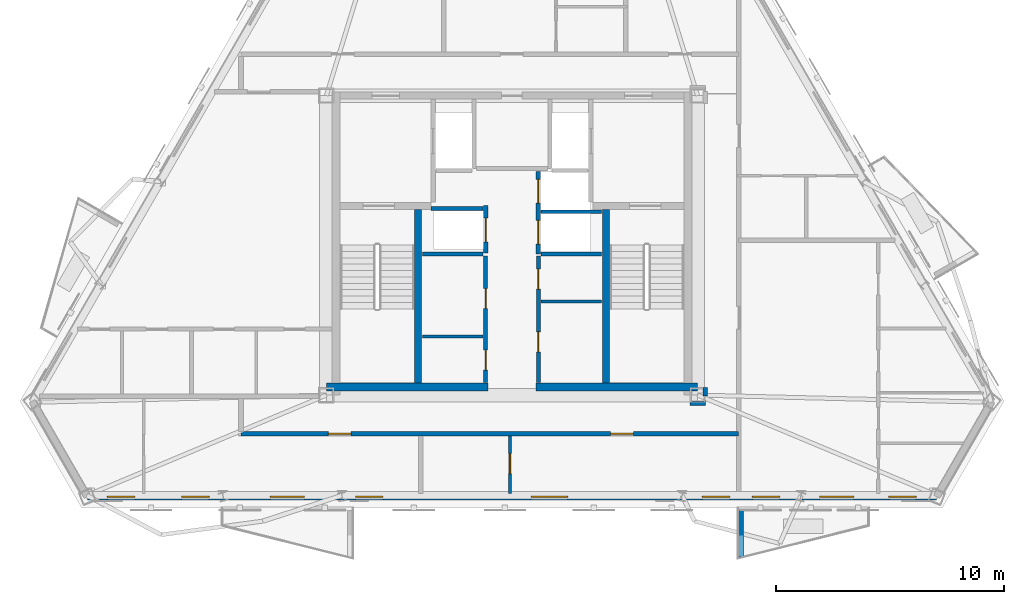
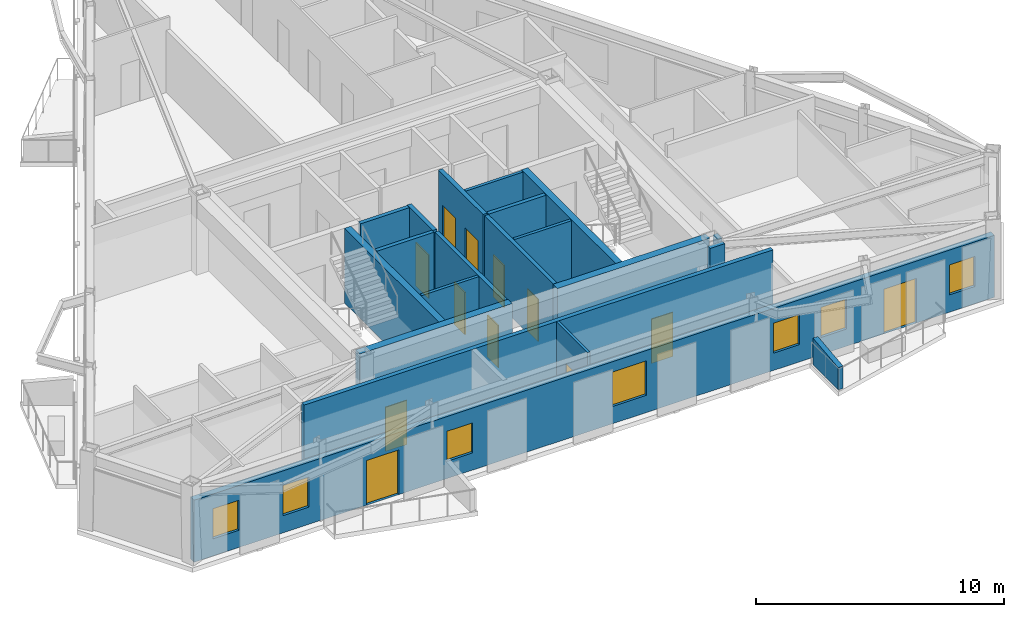
# One storey, part 3 of 9: 20 walls, 12 doors, 7 windows, 19 openings.
"""IFC4 building model written with IfcOpenShell, lengths in metres."""

import ifcopenshell
import ifcopenshell.guid

model = None  # the IFC model being written
_history = None  # IfcOwnerHistory: only IFC2X3 demands one
_inside = {}  # id of a spatial element -> (the spatial element, [elements in it])
_under = {}  # id of a project, library or spatial element -> (it, [spatial elements below it])
_declared = {}  # id of a project -> (the project, [libraries it declares])
_typed = {}  # id of a type object -> (the type object, [elements of that type])
_made_of = {}  # id of a material, layer set ... -> (it, [elements and type objects made of it])


def new_model(schema):
    """Start an empty IFC model of exactly this schema.

    Asked for "IFC4X3", IfcOpenShell would pick the latest addendum, in which some entities
    have other attributes; the version numbers below select the first issue.
    IFC2X3 requires an IfcOwnerHistory on every rooted entity: one is made here for all.
    """
    global model, _history
    if schema == "IFC4X3":
        model = ifcopenshell.file(schema_version=(4, 3, 0, 0))
    else:
        model = ifcopenshell.file(schema=schema)
    _inside.clear()
    _under.clear()
    _declared.clear()
    _typed.clear()
    _made_of.clear()
    _history = None
    if model.schema == "IFC2X3":
        org = make("IfcOrganization", Name="unknown")
        user = make(
            "IfcPersonAndOrganization",
            ThePerson=make("IfcPerson", FamilyName="unknown"),
            TheOrganization=org,
        )
        app = make(
            "IfcApplication",
            ApplicationDeveloper=org,
            Version="unknown",
            ApplicationFullName="unknown",
            ApplicationIdentifier="unknown",
        )
        _history = make(
            "IfcOwnerHistory",
            OwningUser=user,
            OwningApplication=app,
            ChangeAction="ADDED",
            CreationDate=0,
        )
    return model


def make(cls, **values):
    """One entity of the class cls with the attributes given. An attribute that is None is left unset."""
    return model.create_entity(
        cls, **{name: value for name, value in values.items() if value is not None}
    )


def rooted(cls, **values):
    """An entity with a GlobalId (a new one), such as an element, a storey or a relation."""
    return make(cls, GlobalId=ifcopenshell.guid.new(), OwnerHistory=_history, **values)


def si_unit(unit_type, name, prefix=None):
    """IfcSIUnit, for example si_unit("LENGTHUNIT", "METRE", prefix="MILLI")."""
    return make("IfcSIUnit", UnitType=unit_type, Prefix=prefix, Name=name)


def assignment(units):
    """IfcUnitAssignment: the units of a project."""
    return None if units is None else make("IfcUnitAssignment", Units=units)


def point(xyz):
    """IfcCartesianPoint."""
    return None if xyz is None else make("IfcCartesianPoint", Coordinates=xyz)


def direction(xyz):
    """IfcDirection."""
    return None if xyz is None else make("IfcDirection", DirectionRatios=xyz)


def frame(location, z_axis=None, x_axis=None):
    """IfcAxis2Placement3D, a coordinate frame: its origin and axes. An axis left out is left unset."""
    return make(
        "IfcAxis2Placement3D",
        Location=point(location),
        Axis=direction(z_axis),
        RefDirection=direction(x_axis),
    )


def frame_2d(location, x_axis=None):
    """IfcAxis2Placement2D, a coordinate frame in the plane: its origin and x axis."""
    return make(
        "IfcAxis2Placement2D", Location=point(location), RefDirection=direction(x_axis)
    )


def origin():
    """The frame at (0, 0, 0) with its axes left unset."""
    return frame((0.0, 0.0, 0.0))


def place(relative_to, where):
    """IfcLocalPlacement: puts the frame where relative to a parent placement (None: the world)."""
    return make(
        "IfcLocalPlacement", PlacementRelTo=relative_to, RelativePlacement=where
    )


def context(
    kind, dimensions, precision=None, world=None, true_north=None, identifier=None
):
    """IfcGeometricRepresentationContext, for example the 3D "Model" context."""
    return make(
        "IfcGeometricRepresentationContext",
        ContextIdentifier=identifier,
        ContextType=kind,
        CoordinateSpaceDimension=dimensions,
        Precision=precision,
        WorldCoordinateSystem=world,
        TrueNorth=true_north,
    )


def subcontext(parent, identifier, kind, view, scale=None):
    """IfcGeometricRepresentationSubContext, for example "Body" below "Model"."""
    return make(
        "IfcGeometricRepresentationSubContext",
        ContextIdentifier=identifier,
        ContextType=kind,
        ParentContext=parent,
        TargetScale=scale,
        TargetView=view,
    )


def project(units=None, contexts=None):
    """IfcProject with its units and contexts."""
    return rooted(
        "IfcProject",
        Name="project",
        RepresentationContexts=contexts,
        UnitsInContext=assignment(units),
    )


def spatial(cls, under=None, at=None, **own):
    """A site, building, storey or space (cls), placed at a placement, below another one or the project."""
    s = rooted(cls, ObjectPlacement=at, **own)
    if under is not None:
        _under.setdefault(under.id(), (under, []))[1].append(s)
    return s


def polyline(points):
    """IfcPolyline through the points."""
    return make("IfcPolyline", Points=[point(p) for p in points])


def profile(cls, at=None, kind="AREA", **sizes):
    """A parametric profile (cls). Its sizes go by their IFC names, for example OverallWidth=200.0."""
    return make(cls, ProfileType=kind, Position=at, **sizes)


def rectangle(**sizes):
    """IfcRectangleProfileDef."""
    return profile("IfcRectangleProfileDef", **sizes)


def outline(outer, holes=None, kind="AREA"):
    """IfcArbitraryClosedProfileDef: a profile drawn as a closed curve; with holes, ...WithVoids."""
    if holes is None:
        return make("IfcArbitraryClosedProfileDef", ProfileType=kind, OuterCurve=outer)
    return make(
        "IfcArbitraryProfileDefWithVoids",
        ProfileType=kind,
        OuterCurve=outer,
        InnerCurves=holes,
    )


def extrude(swept, where, along, depth):
    """IfcExtrudedAreaSolid: the profile swept, set in the frame where, extruded along a direction by depth."""
    return make(
        "IfcExtrudedAreaSolid",
        SweptArea=swept,
        Position=where,
        ExtrudedDirection=direction(along),
        Depth=depth,
    )


def shape(context_of_items, identifier, shape_type, items):
    """IfcShapeRepresentation: the items that make up one representation, for example the "Body"."""
    return make(
        "IfcShapeRepresentation",
        ContextOfItems=context_of_items,
        RepresentationIdentifier=identifier,
        RepresentationType=shape_type,
        Items=items,
    )


def material(Name=None, Category=None):
    """IfcMaterial."""
    return make("IfcMaterial", Name=Name, Category=Category)


def layer(
    of_material, thickness, ventilated=None, Name=None, Category=None, Priority=None
):
    """IfcMaterialLayer: one layer of a wall or slab, of a material (None: an air gap)."""
    return make(
        "IfcMaterialLayer",
        Material=of_material,
        LayerThickness=thickness,
        IsVentilated=ventilated,
        Name=Name,
        Category=Category,
        Priority=Priority,
    )


def layer_set(layers, Name=None):
    """IfcMaterialLayerSet."""
    return make("IfcMaterialLayerSet", MaterialLayers=layers, LayerSetName=Name)


def made_of(thing, what):
    """Note that an element or type object is made of a material, layer set ...; save() writes the relation."""
    if what is not None:
        _made_of.setdefault(what.id(), (what, []))[1].append(thing)
    return thing


def type_object(cls, material=None, **own):
    """A type object (cls), such as IfcWallType, which elements share."""
    return made_of(rooted(cls, **own), material)


def element(
    cls,
    number,
    at=None,
    inside=None,
    cuts=None,
    type_object=None,
    material=None,
    context=None,
    identifier="Body",
    shape_type=None,
    held_by="IfcProductDefinitionShape",
    body=None,
    shapes=None,
    **own,
):
    """One element of the class cls, such as IfcWall. Its Tag is "e" and its number.

    at: its placement. inside: the storey or other place that contains it. cuts: it is an
    opening in that element (IfcRelVoidsElement). A single representation is given by context,
    identifier, shape_type and body (its items); several are given by shapes. held_by: the class
    of the entity that holds the representations. save() writes the other relations.
    """
    e = rooted(cls, Tag="e%d" % number, ObjectPlacement=at, **own)
    if body is not None:
        shapes = [shape(context, identifier, shape_type, body)]
    if shapes is not None:
        e.Representation = make(held_by, Representations=shapes)
    if inside is not None:
        _inside.setdefault(inside.id(), (inside, []))[1].append(e)
    if cuts is not None:
        rooted(
            "IfcRelVoidsElement", RelatingBuildingElement=cuts, RelatedOpeningElement=e
        )
    if type_object is not None:
        _typed.setdefault(type_object.id(), (type_object, []))[1].append(e)
    return made_of(e, material)


def fill(opening, filler):
    """IfcRelFillsElement: the door or window that sits in an opening."""
    return rooted(
        "IfcRelFillsElement",
        RelatingOpeningElement=opening,
        RelatedBuildingElement=filler,
    )


def aggregate(whole, parts):
    """IfcRelAggregates: a whole, such as a stair, and the parts it consists of."""
    return rooted("IfcRelAggregates", RelatingObject=whole, RelatedObjects=parts)


def save(model, path):
    """Write the relations noted so far, then the file.

    IfcRelAggregates (storeys below a building ...), IfcRelContainedInSpatialStructure (elements
    in a storey), IfcRelDefinesByType, IfcRelAssociatesMaterial and IfcRelDeclares: one each for
    every whole, place, type object, material and project.
    """
    for whole, parts in _under.values():
        aggregate(whole, parts)
    for where, things in _inside.values():
        rooted(
            "IfcRelContainedInSpatialStructure",
            RelatedElements=things,
            RelatingStructure=where,
        )
    for kind, things in _typed.values():
        rooted("IfcRelDefinesByType", RelatedObjects=things, RelatingType=kind)
    for what, things in _made_of.values():
        rooted("IfcRelAssociatesMaterial", RelatedObjects=things, RelatingMaterial=what)
    for by, libraries in _declared.values():
        rooted("IfcRelDeclares", RelatingContext=by, RelatedDefinitions=libraries)
    model.write(path)


model = new_model("IFC4")

# Units and contexts
model_context = context("Model", 3, precision=1e-05, world=origin(), true_north=direction((0.0, 1.0)))
body_context = subcontext(model_context, "Body", "Model", "MODEL_VIEW")
ifc_project = project(units=[si_unit("LENGTHUNIT", "METRE"), si_unit("AREAUNIT", "SQUARE_METRE"), si_unit("VOLUMEUNIT", "CUBIC_METRE"), si_unit("PLANEANGLEUNIT", "RADIAN"), si_unit("MASSUNIT", "GRAM", prefix="KILO")], contexts=[model_context])

# Site, building, storey
site_placement = place(None, origin())
site = spatial("IfcSite", under=ifc_project, at=site_placement, CompositionType="ELEMENT")
building_placement = place(site_placement, origin())
building = spatial("IfcBuilding", under=site, at=building_placement, Name="Oramaril Tower", CompositionType="ELEMENT")
storey_placement = place(building_placement, frame((0.0, 0.0, 269.39990234375)))
storey = spatial("IfcBuildingStorey", under=building, at=storey_placement, Name="L71", CompositionType="ELEMENT", Elevation=269.39990234375)

# Wall, openings, doors, windows
ifc_material_1 = material(Name="Warm Cream Limestone", Category="masonry")
ifc_layer_1 = layer(ifc_material_1, 0.2900390625)
ifc_layer_set_1 = layer_set([ifc_layer_1], Name="WT-EXT29")
wall_type_1 = type_object("IfcWallType", Name="WT-EXT29", PredefinedType="SOLIDWALL", material=ifc_layer_set_1)
wall_1_placement = place(storey_placement, frame((18.85205078125, 6.53466796875, 0.0), z_axis=(0.0, 0.0, 1.0), x_axis=(1.0, 0.0, 0.0)))
wall_1 = element("IfcWall", 1, at=wall_1_placement, inside=storey, type_object=wall_type_1, Name="L71 Tower Limestone Facade Wall 2M", PredefinedType="SOLIDWALL", context=body_context, shape_type="SweptSolid", body=[
    extrude(rectangle(XDim=37.2958984375, YDim=0.2900390625, at=frame_2d((18.64794921875, 0.0))), origin(), (0.0, 0.0, 1.0), 3.05810546875),
])
opening_1_placement = place(wall_1_placement, frame((8.034423828125, 0.0, 0.0)))
opening_1 = element("IfcOpeningElement", 2, at=opening_1_placement, cuts=wall_1, Name="Opening D-L71-BAL-S1", PredefinedType="OPENING", context=body_context, shape_type="SweptSolid", body=[
    extrude(rectangle(XDim=1.5, YDim=2.199951171875, at=frame_2d((0.75, 1.10009765625))), frame((0.0, 0.14501953125, 0.0), z_axis=(0.0, -1.0, 0.0), x_axis=(1.0, 0.0, 0.0)), (0.0, 0.0, 1.0), 0.2900390625),
])
opening_2_placement = place(wall_1_placement, frame((32.156494140625, 0.0, 0.0)))
opening_2 = element("IfcOpeningElement", 3, at=opening_2_placement, cuts=wall_1, Name="Opening D-L71-BAL-S2", PredefinedType="OPENING", context=body_context, shape_type="SweptSolid", body=[
    extrude(rectangle(XDim=1.5, YDim=2.199951171875, at=frame_2d((0.75, 1.10009765625))), frame((0.0, 0.14501953125, 0.0), z_axis=(0.0, -1.0, 0.0), x_axis=(1.0, 0.0, 0.0)), (0.0, 0.0, 1.0), 0.2900390625),
])
opening_3_placement = place(wall_1_placement, frame((4.146484375, 0.0, 0.85009765625)))
opening_3 = element("IfcOpeningElement", 4, at=opening_3_placement, cuts=wall_1, Name="Opening WN-09", PredefinedType="OPENING", context=body_context, shape_type="SweptSolid", body=[
    extrude(rectangle(XDim=1.199951171875, YDim=1.47998046875, at=frame_2d((0.60009765625, 0.739990234375))), frame((0.0, 0.14501953125, 0.0), z_axis=(0.0, -1.0, 0.0), x_axis=(1.0, 0.0, 0.0)), (0.0, 0.0, 1.0), 0.2900390625),
])
opening_4_placement = place(wall_1_placement, frame((11.7822265625, 0.0, 0.85009765625)))
opening_4 = element("IfcOpeningElement", 5, at=opening_4_placement, cuts=wall_1, Name="Opening WN-09", PredefinedType="OPENING", context=body_context, shape_type="SweptSolid", body=[
    extrude(rectangle(XDim=1.199951171875, YDim=1.47998046875, at=frame_2d((0.60009765625, 0.739990234375))), frame((0.0, 0.14501953125, 0.0), z_axis=(0.0, -1.0, 0.0), x_axis=(1.0, 0.0, 0.0)), (0.0, 0.0, 1.0), 0.2900390625),
])
opening_5_placement = place(wall_1_placement, frame((0.88671875, 0.0, 0.85009765625)))
opening_5 = element("IfcOpeningElement", 6, at=opening_5_placement, cuts=wall_1, Name="Opening WN-09", PredefinedType="OPENING", context=body_context, shape_type="SweptSolid", body=[
    extrude(rectangle(XDim=1.199951171875, YDim=1.47998046875, at=frame_2d((0.60009765625, 0.739990234375))), frame((0.0, 0.14501953125, 0.0), z_axis=(0.0, -1.0, 0.0), x_axis=(1.0, 0.0, 0.0)), (0.0, 0.0, 1.0), 0.2900390625),
])
opening_6_placement = place(wall_1_placement, frame((19.48876953125, 0.0, 0.85009765625)))
opening_6 = element("IfcOpeningElement", 7, at=opening_6_placement, cuts=wall_1, Name="Opening WN-07", PredefinedType="OPENING", context=body_context, shape_type="SweptSolid", body=[
    extrude(rectangle(XDim=1.60009765625, YDim=1.699951171875, at=frame_2d((0.800048828125, 0.85009765625))), frame((0.0, 0.14501953125, 0.0), z_axis=(0.0, -1.0, 0.0), x_axis=(1.0, 0.0, 0.0)), (0.0, 0.0, 1.0), 0.2900390625),
])
opening_7_placement = place(wall_1_placement, frame((27.009033203125, 0.0, 0.85009765625)))
opening_7 = element("IfcOpeningElement", 8, at=opening_7_placement, cuts=wall_1, Name="Opening WN-09", PredefinedType="OPENING", context=body_context, shape_type="SweptSolid", body=[
    extrude(rectangle(XDim=1.199951171875, YDim=1.47998046875, at=frame_2d((0.60009765625, 0.739990234375))), frame((0.0, 0.14501953125, 0.0), z_axis=(0.0, -1.0, 0.0), x_axis=(1.0, 0.0, 0.0)), (0.0, 0.0, 1.0), 0.2900390625),
])
opening_8_placement = place(wall_1_placement, frame((29.207275390625, 0.0, 0.85009765625)))
opening_8 = element("IfcOpeningElement", 9, at=opening_8_placement, cuts=wall_1, Name="Opening WN-09", PredefinedType="OPENING", context=body_context, shape_type="SweptSolid", body=[
    extrude(rectangle(XDim=1.199951171875, YDim=1.47998046875, at=frame_2d((0.60009765625, 0.739990234375))), frame((0.0, 0.14501953125, 0.0), z_axis=(0.0, -1.0, 0.0), x_axis=(1.0, 0.0, 0.0)), (0.0, 0.0, 1.0), 0.2900390625),
])
opening_9_placement = place(wall_1_placement, frame((35.19189453125, 0.0, 0.85009765625)))
opening_9 = element("IfcOpeningElement", 10, at=opening_9_placement, cuts=wall_1, Name="Opening WN-09", PredefinedType="OPENING", context=body_context, shape_type="SweptSolid", body=[
    extrude(rectangle(XDim=1.199951171875, YDim=1.47998046875, at=frame_2d((0.60009765625, 0.739990234375))), frame((0.0, 0.14501953125, 0.0), z_axis=(0.0, -1.0, 0.0), x_axis=(1.0, 0.0, 0.0)), (0.0, 0.0, 1.0), 0.2900390625),
])
ifc_material_2 = material(Name="Anodised Aluminium 6063-T6", Category="aluminium")
door_type_1 = type_object("IfcDoorType", Name="DT-BAL", OperationType="NOTDEFINED", PredefinedType="DOOR", material=ifc_material_2)
door_1_placement = place(opening_1_placement, origin())
door_1 = element("IfcDoor", 11, at=door_1_placement, inside=storey, type_object=door_type_1, Name="L71 Balcony Glazed Door L71-BAL-S1", OperationType="SINGLE_SWING_RIGHT", OverallHeight=2.199951171875, OverallWidth=1.5, PredefinedType="DOOR", context=body_context, shape_type="SweptSolid", body=[
    extrude(rectangle(XDim=1.5, YDim=2.199951171875, at=frame_2d((0.75, 1.10009765625))), frame((0.0, 0.02490234375, 0.0), z_axis=(0.0, -1.0, 0.0), x_axis=(1.0, 0.0, 0.0)), (0.0, 0.0, 1.0), 0.050048828125),
])
fill(opening_1, door_1)
door_2_placement = place(opening_2_placement, origin())
door_2 = element("IfcDoor", 12, at=door_2_placement, inside=storey, type_object=door_type_1, Name="L71 Balcony Glazed Door L71-BAL-S2", OperationType="SINGLE_SWING_LEFT", OverallHeight=2.199951171875, OverallWidth=1.5, PredefinedType="DOOR", context=body_context, shape_type="SweptSolid", body=[
    extrude(rectangle(XDim=1.5, YDim=2.199951171875, at=frame_2d((0.75, 1.10009765625))), frame((0.0, 0.02490234375, 0.0), z_axis=(0.0, -1.0, 0.0), x_axis=(1.0, 0.0, 0.0)), (0.0, 0.0, 1.0), 0.050048828125),
])
fill(opening_2, door_2)
ifc_material_3 = material(Name="Coastal Low-E Insulated Glass", Category="glass")
window_type_1 = type_object("IfcWindowType", Name="WNT-07", PartitioningType="SINGLE_PANEL", PredefinedType="WINDOW", material=ifc_material_3)
window_1_placement = place(opening_6_placement, origin())
window_1 = element("IfcWindow", 13, at=window_1_placement, inside=storey, type_object=window_type_1, Name="L71 Chicago Bay Window WN-07", OverallHeight=1.699951171875, OverallWidth=1.60009765625, PartitioningType="SINGLE_PANEL", PredefinedType="WINDOW", context=body_context, shape_type="SweptSolid", body=[
    extrude(rectangle(XDim=1.60009765625, YDim=1.699951171875, at=frame_2d((0.800048828125, 0.85009765625))), frame((0.0, 0.030029296875, 0.0), z_axis=(0.0, -1.0, 0.0), x_axis=(1.0, 0.0, 0.0)), (0.0, 0.0, 1.0), 0.06005859375),
])
fill(opening_6, window_1)
ifc_material_4 = material(Name="Coastal Low-E Insulated Glass", Category="glass")
window_type_2 = type_object("IfcWindowType", Name="WNT-09", PartitioningType="SINGLE_PANEL", PredefinedType="WINDOW", material=ifc_material_4)
window_2_placement = place(opening_3_placement, origin())
window_2 = element("IfcWindow", 14, at=window_2_placement, inside=storey, type_object=window_type_2, Name="L71 Chicago Bay Window WN-09", OverallHeight=1.47998046875, OverallWidth=1.199951171875, PartitioningType="SINGLE_PANEL", PredefinedType="WINDOW", context=body_context, shape_type="SweptSolid", body=[
    extrude(rectangle(XDim=1.199951171875, YDim=1.47998046875, at=frame_2d((0.60009765625, 0.739990234375))), frame((0.0, 0.030029296875, 0.0), z_axis=(0.0, -1.0, 0.0), x_axis=(1.0, 0.0, 0.0)), (0.0, 0.0, 1.0), 0.06005859375),
])
fill(opening_3, window_2)
window_3_placement = place(opening_4_placement, origin())
window_3 = element("IfcWindow", 15, at=window_3_placement, inside=storey, type_object=window_type_2, Name="L71 Chicago Bay Window WN-09", OverallHeight=1.47998046875, OverallWidth=1.199951171875, PartitioningType="SINGLE_PANEL", PredefinedType="WINDOW", context=body_context, shape_type="SweptSolid", body=[
    extrude(rectangle(XDim=1.199951171875, YDim=1.47998046875, at=frame_2d((0.60009765625, 0.739990234375))), frame((0.0, 0.030029296875, 0.0), z_axis=(0.0, -1.0, 0.0), x_axis=(1.0, 0.0, 0.0)), (0.0, 0.0, 1.0), 0.06005859375),
])
fill(opening_4, window_3)
window_4_placement = place(opening_5_placement, origin())
window_4 = element("IfcWindow", 16, at=window_4_placement, inside=storey, type_object=window_type_2, Name="L71 Chicago Bay Window WN-09", OverallHeight=1.47998046875, OverallWidth=1.199951171875, PartitioningType="SINGLE_PANEL", PredefinedType="WINDOW", context=body_context, shape_type="SweptSolid", body=[
    extrude(rectangle(XDim=1.199951171875, YDim=1.47998046875, at=frame_2d((0.60009765625, 0.739990234375))), frame((0.0, 0.030029296875, 0.0), z_axis=(0.0, -1.0, 0.0), x_axis=(1.0, 0.0, 0.0)), (0.0, 0.0, 1.0), 0.06005859375),
])
fill(opening_5, window_4)
window_5_placement = place(opening_7_placement, origin())
window_5 = element("IfcWindow", 17, at=window_5_placement, inside=storey, type_object=window_type_2, Name="L71 Chicago Bay Window WN-09", OverallHeight=1.47998046875, OverallWidth=1.199951171875, PartitioningType="SINGLE_PANEL", PredefinedType="WINDOW", context=body_context, shape_type="SweptSolid", body=[
    extrude(rectangle(XDim=1.199951171875, YDim=1.47998046875, at=frame_2d((0.60009765625, 0.739990234375))), frame((0.0, 0.030029296875, 0.0), z_axis=(0.0, -1.0, 0.0), x_axis=(1.0, 0.0, 0.0)), (0.0, 0.0, 1.0), 0.06005859375),
])
fill(opening_7, window_5)
window_6_placement = place(opening_8_placement, origin())
window_6 = element("IfcWindow", 18, at=window_6_placement, inside=storey, type_object=window_type_2, Name="L71 Chicago Bay Window WN-09", OverallHeight=1.47998046875, OverallWidth=1.199951171875, PartitioningType="SINGLE_PANEL", PredefinedType="WINDOW", context=body_context, shape_type="SweptSolid", body=[
    extrude(rectangle(XDim=1.199951171875, YDim=1.47998046875, at=frame_2d((0.60009765625, 0.739990234375))), frame((0.0, 0.030029296875, 0.0), z_axis=(0.0, -1.0, 0.0), x_axis=(1.0, 0.0, 0.0)), (0.0, 0.0, 1.0), 0.06005859375),
])
fill(opening_8, window_6)
window_7_placement = place(opening_9_placement, origin())
window_7 = element("IfcWindow", 19, at=window_7_placement, inside=storey, type_object=window_type_2, Name="L71 Chicago Bay Window WN-09", OverallHeight=1.47998046875, OverallWidth=1.199951171875, PartitioningType="SINGLE_PANEL", PredefinedType="WINDOW", context=body_context, shape_type="SweptSolid", body=[
    extrude(rectangle(XDim=1.199951171875, YDim=1.47998046875, at=frame_2d((0.60009765625, 0.739990234375))), frame((0.0, 0.030029296875, 0.0), z_axis=(0.0, -1.0, 0.0), x_axis=(1.0, 0.0, 0.0)), (0.0, 0.0, 1.0), 0.06005859375),
])
fill(opening_9, window_7)

# Wall
ifc_material_5 = material(Name="Concrete C40/50", Category="concrete")
ifc_layer_2 = layer(ifc_material_5, 0.22998046875)
ifc_layer_set_2 = layer_set([ifc_layer_2], Name="WT-PRP23")
wall_type_2 = type_object("IfcWallType", Name="WT-PRP23", PredefinedType="PARAPET", material=ifc_layer_set_2)
wall_2_placement = place(storey_placement, frame((47.54345703125, 5.936767578125, 0.0), z_axis=(0.0, 0.0, 1.0), x_axis=(0.0, -1.0, 0.0)))
element("IfcWall", 20, at=wall_2_placement, inside=storey, type_object=wall_type_2, Name="L71 Trapezoidal Balcony Frame Cheek L71-BAL-S2-L", PredefinedType="PARAPET", context=body_context, shape_type="SweptSolid", body=[
    extrude(outline(polyline([(0.0, 0.0), (2.0419921875, 0.0), (2.0419921875, 1.10009765625), (0.0, 1.320068359375), (0.0, 0.0)])), frame((0.0, 0.114990234375, 0.0), z_axis=(0.0, -1.0, 0.0), x_axis=(1.0, 0.0, 0.0)), (0.0, 0.0, 1.0), 0.22998046875),
])

# Wall, opening, door
ifc_material_6 = material(Name="Acoustic Gypsum Board Partition")
ifc_layer_3 = layer(ifc_material_6, 0.1201171875)
ifc_layer_set_3 = layer_set([ifc_layer_3], Name="WT-PT12")
wall_type_3 = type_object("IfcWallType", Name="WT-PT12", PredefinedType="PARTITIONING", material=ifc_layer_set_3)
wall_3_placement = place(storey_placement, frame((37.409912109375, 6.68359375, 0.0), z_axis=(0.0, 0.0, 1.0), x_axis=(0.0, 1.0, 0.0)))
wall_3 = element("IfcWall", 21, at=wall_3_placement, inside=storey, type_object=wall_type_3, Name="L71 Interior Partition PT-12", PredefinedType="PARTITIONING", context=body_context, shape_type="SweptSolid", body=[
    extrude(rectangle(XDim=2.512451171875, YDim=0.1201171875, at=frame_2d((1.25634765625, 0.0))), origin(), (0.0, 0.0, 1.0), 3.68017578125),
])
opening_10_placement = place(wall_3_placement, frame((0.86865234375, 0.0, 0.0)))
opening_10 = element("IfcOpeningElement", 22, at=opening_10_placement, cuts=wall_3, Name="Opening D-L71-16", PredefinedType="OPENING", context=body_context, shape_type="SweptSolid", body=[
    extrude(rectangle(XDim=0.8798828125, YDim=2.080078125, at=frame_2d((0.43994140625, 1.0400390625))), frame((0.0, 0.06005859375, 0.0), z_axis=(0.0, -1.0, 0.0), x_axis=(1.0, 0.0, 0.0)), (0.0, 0.0, 1.0), 0.1201171875),
])
ifc_material_7 = material(Name="FSC Brazilian Freijo Hardwood", Category="wood")
door_type_2 = type_object("IfcDoorType", Name="DT-BATH", OperationType="NOTDEFINED", PredefinedType="DOOR", material=ifc_material_7)
door_3_placement = place(opening_10_placement, origin())
door_3 = element("IfcDoor", 23, at=door_3_placement, inside=storey, type_object=door_type_2, Name="L71 Flat L71-U2 Bathroom Door D-L71-16", OperationType="SINGLE_SWING_LEFT", OverallHeight=2.080078125, OverallWidth=0.8798828125, PredefinedType="DOOR", context=body_context, shape_type="SweptSolid", body=[
    extrude(rectangle(XDim=0.8798828125, YDim=2.080078125, at=frame_2d((0.43994140625, 1.0400390625))), frame((0.0, 0.02490234375, 0.0), z_axis=(0.0, -1.0, 0.0), x_axis=(1.0, 0.0, 0.0)), (0.0, 0.0, 1.0), 0.050048828125),
])
fill(opening_10, door_3)

# Walls
ifc_material_8 = material(Name="Acoustic Gypsum Board Partition")
ifc_layer_4 = layer(ifc_material_8, 0.139892578125)
ifc_layer_set_4 = layer_set([ifc_layer_4], Name="WT-PT14")
wall_type_4 = type_object("IfcWallType", Name="WT-PT14", PredefinedType="PARTITIONING", material=ifc_layer_set_4)
for number, where, z_axis, x_axis, name in (
    (24, (33.56005859375, 13.570068359375, 0.0), (0.0, 0.0, 1.0), (1.0, 0.0, 0.0), "L71 Freed Shaft Divider"),
    (25, (38.780029296875, 19.050048828125, 0.0), (0.0, 0.0, 1.0), (1.0, 0.0, 0.0), "L71 High-Rise Lift H2-H3 Divider"),
    (26, (38.780029296875, 15.110107421875, 0.0), (0.0, 0.0, 1.0), (1.0, 0.0, 0.0), "L71 Freed Shaft Divider"),
):
    element("IfcWall", number, at=place(storey_placement, frame(where, z_axis=z_axis, x_axis=x_axis)), inside=storey, type_object=wall_type_4, Name=name, PredefinedType="PARTITIONING", context=body_context, shape_type="SweptSolid", body=[
        extrude(rectangle(XDim=2.659912109375, YDim=0.139892578125, at=frame_2d((1.330078125, 0.0))), origin(), (0.0, 0.0, 1.0), 3.68017578125),
    ])
ifc_material_9 = material(Name="Autoclaved Cellular Concrete Block", Category="concrete")
ifc_layer_5 = layer(ifc_material_9, 0.179931640625)
ifc_layer_set_5 = layer_set([ifc_layer_5], Name="WT-PT18")
wall_type_5 = type_object("IfcWallType", Name="WT-PT18", PredefinedType="PARTITIONING", material=ifc_layer_set_5)
wall_4_placement = place(storey_placement, frame((33.949951171875, 19.199951171875, 0.0), z_axis=(0.0, 0.0, 1.0), x_axis=(1.0, 0.0, 0.0)))
element("IfcWall", 27, at=wall_4_placement, inside=storey, type_object=wall_type_5, Name="L71 High-Rise Lift H1 North Shaft Wall", PredefinedType="PARTITIONING", context=body_context, shape_type="SweptSolid", body=[
    extrude(rectangle(XDim=2.27001953125, YDim=0.179931640625, at=frame_2d((1.135009765625, 0.0))), origin(), (0.0, 0.0, 1.0), 3.68017578125),
])
wall_5_placement = place(storey_placement, frame((33.56005859375, 17.199951171875, 0.0), z_axis=(0.0, 0.0, 1.0), x_axis=(1.0, 0.0, 0.0)))
element("IfcWall", 28, at=wall_5_placement, inside=storey, type_object=wall_type_5, Name="L71 High-Rise Lift H1 South Wall", PredefinedType="PARTITIONING", context=body_context, shape_type="SweptSolid", body=[
    extrude(rectangle(XDim=2.659912109375, YDim=0.179931640625, at=frame_2d((1.330078125, 0.0))), origin(), (0.0, 0.0, 1.0), 3.68017578125),
])

# Wall, openings, doors
wall_6_placement = place(storey_placement, frame((36.340087890625, 11.550048828125, 0.0), z_axis=(0.0, 0.0, 1.0), x_axis=(0.0, 1.0, 0.0)))
wall_6 = element("IfcWall", 29, at=wall_6_placement, inside=storey, type_object=wall_type_5, Name="L71 Freed Shaft Study East Wall", PredefinedType="PARTITIONING", context=body_context, shape_type="SweptSolid", body=[
    extrude(rectangle(XDim=5.550048828125, YDim=0.179931640625, at=frame_2d((2.77490234375, 0.0))), origin(), (0.0, 0.0, 1.0), 3.68017578125),
])
opening_11_placement = place(wall_6_placement, frame((0.550048828125, 0.0, 0.0)))
opening_11 = element("IfcOpeningElement", 30, at=opening_11_placement, cuts=wall_6, Name="Opening D-L71-FL1", PredefinedType="OPENING", context=body_context, shape_type="SweptSolid", body=[
    extrude(rectangle(XDim=0.8798828125, YDim=2.080078125, at=frame_2d((0.43994140625, 1.0400390625))), frame((0.0, 0.08984375, 0.0), z_axis=(0.0, -1.0, 0.0), x_axis=(1.0, 0.0, 0.0)), (0.0, 0.0, 1.0), 0.179931640625),
])
opening_12_placement = place(wall_6_placement, frame((3.25, 0.0, 0.0)))
opening_12 = element("IfcOpeningElement", 31, at=opening_12_placement, cuts=wall_6, Name="Opening D-L71-FL2", PredefinedType="OPENING", context=body_context, shape_type="SweptSolid", body=[
    extrude(rectangle(XDim=0.8798828125, YDim=2.080078125, at=frame_2d((0.43994140625, 1.0400390625))), frame((0.0, 0.08984375, 0.0), z_axis=(0.0, -1.0, 0.0), x_axis=(1.0, 0.0, 0.0)), (0.0, 0.0, 1.0), 0.179931640625),
])
door_4_placement = place(opening_11_placement, origin())
door_4 = element("IfcDoor", 32, at=door_4_placement, inside=storey, type_object=door_type_2, Name="L71 L71 Residents Tasting Dining Nook Door", OperationType="SINGLE_SWING_LEFT", OverallHeight=2.080078125, OverallWidth=0.8798828125, PredefinedType="DOOR", context=body_context, shape_type="SweptSolid", body=[
    extrude(rectangle(XDim=0.8798828125, YDim=2.080078125, at=frame_2d((0.43994140625, 1.0400390625))), frame((0.0, 0.02490234375, 0.0), z_axis=(0.0, -1.0, 0.0), x_axis=(1.0, 0.0, 0.0)), (0.0, 0.0, 1.0), 0.050048828125),
])
fill(opening_11, door_4)
door_5_placement = place(opening_12_placement, origin())
door_5 = element("IfcDoor", 33, at=door_5_placement, inside=storey, type_object=door_type_2, Name="L71 L71 Floor Co-Work Office Door", OperationType="SINGLE_SWING_RIGHT", OverallHeight=2.080078125, OverallWidth=0.8798828125, PredefinedType="DOOR", context=body_context, shape_type="SweptSolid", body=[
    extrude(rectangle(XDim=0.8798828125, YDim=2.080078125, at=frame_2d((0.43994140625, 1.0400390625))), frame((0.0, 0.02490234375, 0.0), z_axis=(0.0, -1.0, 0.0), x_axis=(1.0, 0.0, 0.0)), (0.0, 0.0, 1.0), 0.050048828125),
])
fill(opening_12, door_5)

# Wall
wall_7_placement = place(storey_placement, frame((38.780029296875, 17.199951171875, 0.0), z_axis=(0.0, 0.0, 1.0), x_axis=(1.0, 0.0, 0.0)))
element("IfcWall", 34, at=wall_7_placement, inside=storey, type_object=wall_type_5, Name="L71 High-Rise Lift H2 South Wall", PredefinedType="PARTITIONING", context=body_context, shape_type="SweptSolid", body=[
    extrude(rectangle(XDim=2.659912109375, YDim=0.179931640625, at=frame_2d((1.330078125, 0.0))), origin(), (0.0, 0.0, 1.0), 3.68017578125),
])

# Wall, openings, doors
wall_8_placement = place(storey_placement, frame((38.659912109375, 11.550048828125, 0.0), z_axis=(0.0, 0.0, 1.0), x_axis=(0.0, 1.0, 0.0)))
wall_8 = element("IfcWall", 35, at=wall_8_placement, inside=storey, type_object=wall_type_5, Name="L71 Freed Shaft Alcove West Wall", PredefinedType="PARTITIONING", context=body_context, shape_type="SweptSolid", body=[
    extrude(rectangle(XDim=5.550048828125, YDim=0.179931640625, at=frame_2d((2.77490234375, 0.0))), origin(), (0.0, 0.0, 1.0), 3.68017578125),
])
opening_13_placement = place(wall_8_placement, frame((1.35009765625, 0.0, 0.0)))
opening_13 = element("IfcOpeningElement", 36, at=opening_13_placement, cuts=wall_8, Name="Opening D-L71-FM1", PredefinedType="OPENING", context=body_context, shape_type="SweptSolid", body=[
    extrude(rectangle(XDim=0.8798828125, YDim=2.080078125, at=frame_2d((0.43994140625, 1.0400390625))), frame((0.0, 0.08984375, 0.0), z_axis=(0.0, -1.0, 0.0), x_axis=(1.0, 0.0, 0.0)), (0.0, 0.0, 1.0), 0.179931640625),
])
opening_14_placement = place(wall_8_placement, frame((4.10009765625, 0.0, 0.0)))
opening_14 = element("IfcOpeningElement", 37, at=opening_14_placement, cuts=wall_8, Name="Opening D-L71-FM2", PredefinedType="OPENING", context=body_context, shape_type="SweptSolid", body=[
    extrude(rectangle(XDim=0.8798828125, YDim=2.080078125, at=frame_2d((0.43994140625, 1.0400390625))), frame((0.0, 0.08984375, 0.0), z_axis=(0.0, -1.0, 0.0), x_axis=(1.0, 0.0, 0.0)), (0.0, 0.0, 1.0), 0.179931640625),
])
door_6_placement = place(opening_13_placement, origin())
door_6 = element("IfcDoor", 38, at=door_6_placement, inside=storey, type_object=door_type_2, Name="L71 L71 Private Home Office Door", OperationType="SINGLE_SWING_RIGHT", OverallHeight=2.080078125, OverallWidth=0.8798828125, PredefinedType="DOOR", context=body_context, shape_type="SweptSolid", body=[
    extrude(rectangle(XDim=0.8798828125, YDim=2.080078125, at=frame_2d((0.43994140625, 1.0400390625))), frame((0.0, 0.02490234375, 0.0), z_axis=(0.0, -1.0, 0.0), x_axis=(1.0, 0.0, 0.0)), (0.0, 0.0, 1.0), 0.050048828125),
])
fill(opening_13, door_6)
door_7_placement = place(opening_14_placement, origin())
door_7 = element("IfcDoor", 39, at=door_7_placement, inside=storey, type_object=door_type_2, Name="L71 L71 Sky Tea Dining Alcove Door", OperationType="SINGLE_SWING_LEFT", OverallHeight=2.080078125, OverallWidth=0.8798828125, PredefinedType="DOOR", context=body_context, shape_type="SweptSolid", body=[
    extrude(rectangle(XDim=0.8798828125, YDim=2.080078125, at=frame_2d((0.43994140625, 1.0400390625))), frame((0.0, 0.02490234375, 0.0), z_axis=(0.0, -1.0, 0.0), x_axis=(1.0, 0.0, 0.0)), (0.0, 0.0, 1.0), 0.050048828125),
])
fill(opening_14, door_7)

ifc_material_10 = material(Name="Autoclaved Cellular Concrete Block", Category="concrete")
ifc_layer_6 = layer(ifc_material_10, 0.199951171875)
ifc_layer_set_6 = layer_set([ifc_layer_6], Name="WT-PT20")
wall_type_6 = type_object("IfcWallType", Name="WT-PT20", PredefinedType="PARTITIONING", material=ifc_layer_set_6)
wall_9_placement = place(storey_placement, frame((25.60009765625, 9.300048828125, 0.0), z_axis=(0.0, 0.0, 1.0), x_axis=(1.0, 0.0, 0.0)))
wall_9 = element("IfcWall", 40, at=wall_9_placement, inside=storey, type_object=wall_type_6, Name="L71 Interior Partition PT-20", PredefinedType="PARTITIONING", context=body_context, shape_type="SweptSolid", body=[
    extrude(rectangle(XDim=21.849853515625, YDim=0.199951171875, at=frame_2d((10.9248046875, 0.0))), origin(), (0.0, 0.0, 1.0), 3.68017578125),
])
opening_15_placement = place(wall_9_placement, frame((3.841064453125, 0.0, 0.0)))
opening_15 = element("IfcOpeningElement", 41, at=opening_15_placement, cuts=wall_9, Name="Opening D-L71-01", PredefinedType="OPENING", context=body_context, shape_type="SweptSolid", body=[
    extrude(rectangle(XDim=1.0, YDim=2.179931640625, at=frame_2d((0.5, 1.08984375))), frame((0.0, 0.10009765625, 0.0), z_axis=(0.0, -1.0, 0.0), x_axis=(1.0, 0.0, 0.0)), (0.0, 0.0, 1.0), 0.199951171875),
])
opening_16_placement = place(wall_9_placement, frame((16.232421875, 0.0, 0.0)))
opening_16 = element("IfcOpeningElement", 42, at=opening_16_placement, cuts=wall_9, Name="Opening D-L71-02", PredefinedType="OPENING", context=body_context, shape_type="SweptSolid", body=[
    extrude(rectangle(XDim=1.0, YDim=2.179931640625, at=frame_2d((0.5, 1.08984375))), frame((0.0, 0.10009765625, 0.0), z_axis=(0.0, -1.0, 0.0), x_axis=(1.0, 0.0, 0.0)), (0.0, 0.0, 1.0), 0.199951171875),
])
ifc_material_11 = material(Name="FSC Brazilian Freijo Hardwood", Category="wood")
door_type_3 = type_object("IfcDoorType", Name="DT-APT", OperationType="NOTDEFINED", PredefinedType="DOOR", material=ifc_material_11)
door_8_placement = place(opening_15_placement, origin())
door_8 = element("IfcDoor", 43, at=door_8_placement, inside=storey, type_object=door_type_3, Name="L71 Flat L71-U1 Kitchen and Studio Apartment Door D-L71-01", OperationType="SINGLE_SWING_RIGHT", OverallHeight=2.179931640625, OverallWidth=1.0, PredefinedType="DOOR", context=body_context, shape_type="SweptSolid", body=[
    extrude(rectangle(XDim=1.0, YDim=2.179931640625, at=frame_2d((0.5, 1.08984375))), frame((0.0, 0.02490234375, 0.0), z_axis=(0.0, -1.0, 0.0), x_axis=(1.0, 0.0, 0.0)), (0.0, 0.0, 1.0), 0.050048828125),
])
fill(opening_15, door_8)
door_9_placement = place(opening_16_placement, origin())
door_9 = element("IfcDoor", 44, at=door_9_placement, inside=storey, type_object=door_type_3, Name="L71 Flat L71-U2 Kitchen and Studio Apartment Door D-L71-02", OperationType="SINGLE_SWING_LEFT", OverallHeight=2.179931640625, OverallWidth=1.0, PredefinedType="DOOR", context=body_context, shape_type="SweptSolid", body=[
    extrude(rectangle(XDim=1.0, YDim=2.179931640625, at=frame_2d((0.5, 1.08984375))), frame((0.0, 0.02490234375, 0.0), z_axis=(0.0, -1.0, 0.0), x_axis=(1.0, 0.0, 0.0)), (0.0, 0.0, 1.0), 0.050048828125),
])
fill(opening_16, door_9)

# Walls
wall_10_placement = place(storey_placement, frame((45.304931640625, 10.64990234375, 0.0), z_axis=(0.0, 0.0, 1.0), x_axis=(1.0, 0.0, 0.0)))
element("IfcWall", 45, at=wall_10_placement, inside=storey, type_object=wall_type_6, Name="L71 Interior Partition PT-20", PredefinedType="PARTITIONING", context=body_context, shape_type="SweptSolid", body=[
    extrude(rectangle(XDim=0.690185546875, YDim=0.199951171875, at=frame_2d((0.34521484375, 0.0))), origin(), (0.0, 0.0, 1.0), 3.68017578125),
])
wall_11_placement = place(storey_placement, frame((45.989990234375, 10.949951171875, 0.0), z_axis=(0.0, 0.0, 1.0), x_axis=(0.0, 1.0, 0.0)))
element("IfcWall", 46, at=wall_11_placement, inside=storey, type_object=wall_type_6, Name="L71 Interior Partition PT-20", PredefinedType="PARTITIONING", context=body_context, shape_type="SweptSolid", body=[
    extrude(rectangle(XDim=0.39013671875, YDim=0.199951171875, at=frame_2d((0.195068359375, 0.0))), origin(), (0.0, 0.0, 1.0), 3.68017578125),
])
ifc_material_12 = material(Name="Concrete C50/60", Category="concrete")
ifc_layer_7 = layer(ifc_material_12, 0.300048828125)
ifc_layer_set_7 = layer_set([ifc_layer_7], Name="WT-SH30")
wall_type_7 = type_object("IfcWallType", Name="WT-SH30", PredefinedType="SHEAR", material=ifc_layer_set_7)
for number, where, z_axis, x_axis, name in (
    (47, (33.3798828125, 11.5400390625, 0.0), (0.0, 0.0, 1.0), (0.0, 1.0, 0.0), "L71 Core Shear Wall CW-ST1E"),
    (48, (41.6201171875, 11.5400390625, 0.0), (0.0, 0.0, 1.0), (0.0, 1.0, 0.0), "L71 Core Shear Wall CW-ST2W"),
):
    element("IfcWall", number, at=place(storey_placement, frame(where, z_axis=z_axis, x_axis=x_axis)), inside=storey, type_object=wall_type_7, Name=name, PredefinedType="SHEAR", context=body_context, shape_type="SweptSolid", body=[
        extrude(rectangle(XDim=7.619873046875, YDim=0.300048828125, at=frame_2d((3.81005859375, 0.0))), origin(), (0.0, 0.0, 1.0), 3.68017578125),
    ])
ifc_material_13 = material(Name="Concrete C50/60", Category="concrete")
ifc_layer_8 = layer(ifc_material_13, 0.35009765625)
ifc_layer_set_8 = layer_set([ifc_layer_8], Name="WT-SH35")
wall_type_8 = type_object("IfcWallType", Name="WT-SH35", PredefinedType="SHEAR", material=ifc_layer_set_8)
for number, where, z_axis, x_axis, name in (
    (49, (29.35009765625, 11.364990234375, 0.0), (0.0, 0.0, 1.0), (1.0, 0.0, 0.0), "L71 Core Shear Wall CW-SW"),
    (50, (38.550048828125, 11.364990234375, 0.0), (0.0, 0.0, 1.0), (1.0, 0.0, 0.0), "L71 Core Shear Wall CW-SE"),
):
    element("IfcWall", number, at=place(storey_placement, frame(where, z_axis=z_axis, x_axis=x_axis)), inside=storey, type_object=wall_type_8, Name=name, PredefinedType="SHEAR", context=body_context, shape_type="SweptSolid", body=[
        extrude(rectangle(XDim=7.099853515625, YDim=0.35009765625, at=frame_2d((3.5498046875, 0.0))), origin(), (0.0, 0.0, 1.0), 3.68017578125),
    ])

# Wall, opening, door
ifc_material_14 = material(Name="Autoclaved Cellular Concrete Block", Category="concrete")
ifc_layer_9 = layer(ifc_material_14, 0.199951171875)
ifc_layer_set_9 = layer_set([ifc_layer_9], Name="WT-SHF20")
wall_type_9 = type_object("IfcWallType", Name="WT-SHF20", PredefinedType="PARTITIONING", material=ifc_layer_set_9)
wall_12_placement = place(storey_placement, frame((36.340087890625, 17.25, 0.0), z_axis=(0.0, 0.0, 1.0), x_axis=(0.0, 1.0, 0.0)))
wall_12 = element("IfcWall", 51, at=wall_12_placement, inside=storey, type_object=wall_type_9, Name="L71 High-Rise Lift H1 Front Wall", PredefinedType="PARTITIONING", context=body_context, shape_type="SweptSolid", body=[
    extrude(rectangle(XDim=2.070068359375, YDim=0.199951171875, at=frame_2d((1.03515625, 0.0))), origin(), (0.0, 0.0, 1.0), 3.68017578125),
])
opening_17_placement = place(wall_12_placement, frame((0.47509765625, 0.0, 0.0)))
opening_17 = element("IfcOpeningElement", 52, at=opening_17_placement, cuts=wall_12, Name="Opening LD-L71-LP-H1", PredefinedType="OPENING", context=body_context, shape_type="SweptSolid", body=[
    extrude(rectangle(XDim=1.050048828125, YDim=2.14990234375, at=frame_2d((0.52490234375, 1.074951171875))), frame((0.0, 0.10009765625, 0.0), z_axis=(0.0, -1.0, 0.0), x_axis=(1.0, 0.0, 0.0)), (0.0, 0.0, 1.0), 0.199951171875),
])
ifc_material_15 = material(Name="Stainless Steel 316L", Category="steel")
door_type_4 = type_object("IfcDoorType", Name="DT-LD2", OperationType="NOTDEFINED", PredefinedType="DOOR", material=ifc_material_15)
door_10_placement = place(opening_17_placement, origin())
door_10 = element("IfcDoor", 53, at=door_10_placement, inside=storey, type_object=door_type_4, Name="L71 Lift LP-H1 Sliding Landing Door", OperationType="SLIDING_TO_LEFT", OverallHeight=2.14990234375, OverallWidth=1.050048828125, PredefinedType="DOOR", context=body_context, shape_type="SweptSolid", body=[
    extrude(rectangle(XDim=1.050048828125, YDim=2.14990234375, at=frame_2d((0.52490234375, 1.074951171875))), frame((0.0, 0.02490234375, 0.0), z_axis=(0.0, -1.0, 0.0), x_axis=(1.0, 0.0, 0.0)), (0.0, 0.0, 1.0), 0.050048828125),
])
fill(opening_17, door_10)

# Wall, openings, doors
wall_13_placement = place(storey_placement, frame((38.659912109375, 17.199951171875, 0.0), z_axis=(0.0, 0.0, 1.0), x_axis=(0.0, 1.0, 0.0)))
wall_13 = element("IfcWall", 54, at=wall_13_placement, inside=storey, type_object=wall_type_9, Name="L71 High-Rise Lift H2-H3 Front Wall", PredefinedType="PARTITIONING", context=body_context, shape_type="SweptSolid", body=[
    extrude(rectangle(XDim=3.6201171875, YDim=0.199951171875, at=frame_2d((1.81005859375, 0.0))), origin(), (0.0, 0.0, 1.0), 3.68017578125),
])
opening_18_placement = place(wall_13_placement, frame((0.425048828125, 0.0, 0.0)))
opening_18 = element("IfcOpeningElement", 55, at=opening_18_placement, cuts=wall_13, Name="Opening LD-L71-LP-H2", PredefinedType="OPENING", context=body_context, shape_type="SweptSolid", body=[
    extrude(rectangle(XDim=1.050048828125, YDim=2.14990234375, at=frame_2d((0.52490234375, 1.074951171875))), frame((0.0, 0.10009765625, 0.0), z_axis=(0.0, -1.0, 0.0), x_axis=(1.0, 0.0, 0.0)), (0.0, 0.0, 1.0), 0.199951171875),
])
opening_19_placement = place(wall_13_placement, frame((2.22509765625, 0.0, 0.0)))
opening_19 = element("IfcOpeningElement", 56, at=opening_19_placement, cuts=wall_13, Name="Opening LD-L71-LP-H3", PredefinedType="OPENING", context=body_context, shape_type="SweptSolid", body=[
    extrude(rectangle(XDim=1.050048828125, YDim=2.14990234375, at=frame_2d((0.52490234375, 1.074951171875))), frame((0.0, 0.10009765625, 0.0), z_axis=(0.0, -1.0, 0.0), x_axis=(1.0, 0.0, 0.0)), (0.0, 0.0, 1.0), 0.199951171875),
])
door_11_placement = place(opening_18_placement, origin())
door_11 = element("IfcDoor", 57, at=door_11_placement, inside=storey, type_object=door_type_4, Name="L71 Lift LP-H2 Sliding Landing Door", OperationType="SLIDING_TO_RIGHT", OverallHeight=2.14990234375, OverallWidth=1.050048828125, PredefinedType="DOOR", context=body_context, shape_type="SweptSolid", body=[
    extrude(rectangle(XDim=1.050048828125, YDim=2.14990234375, at=frame_2d((0.52490234375, 1.074951171875))), frame((0.0, 0.02490234375, 0.0), z_axis=(0.0, -1.0, 0.0), x_axis=(1.0, 0.0, 0.0)), (0.0, 0.0, 1.0), 0.050048828125),
])
fill(opening_18, door_11)
door_12_placement = place(opening_19_placement, origin())
door_12 = element("IfcDoor", 58, at=door_12_placement, inside=storey, type_object=door_type_4, Name="L71 Lift LP-H3 Sliding Landing Door", OperationType="SLIDING_TO_LEFT", OverallHeight=2.14990234375, OverallWidth=1.050048828125, PredefinedType="DOOR", context=body_context, shape_type="SweptSolid", body=[
    extrude(rectangle(XDim=1.050048828125, YDim=2.14990234375, at=frame_2d((0.52490234375, 1.074951171875))), frame((0.0, 0.02490234375, 0.0), z_axis=(0.0, -1.0, 0.0), x_axis=(1.0, 0.0, 0.0)), (0.0, 0.0, 1.0), 0.050048828125),
])
fill(opening_19, door_12)

save(model, "model.ifc")
